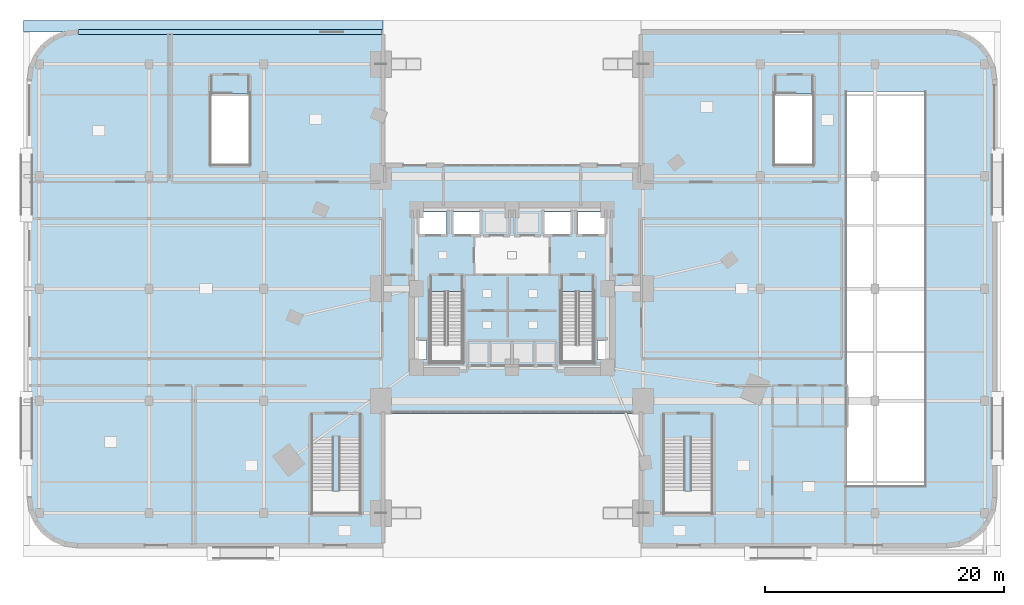
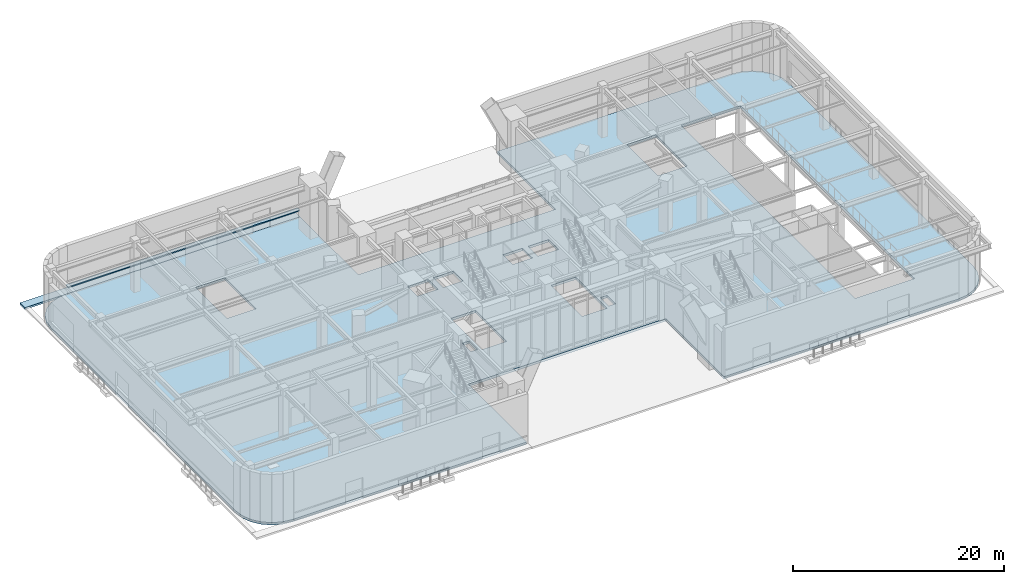
# One storey, part 15 of 27: 2 slabs, 1 plate.
"""IFC4 building model written with IfcOpenShell, lengths in metres."""

from ifc_helpers import new_model, si_unit, direction, frame, origin, origin_2d, place, context, subcontext, project, spatial, polyline, rectangle, outline, extrude, material, layer, layer_set, type_object, element, save


model = new_model("IFC4")

# Units and contexts
model_context = context("Model", 3, precision=1e-05, world=origin(), true_north=direction((0.0, 1.0)))
body_context = subcontext(model_context, "Body", "Model", "MODEL_VIEW")
ifc_project = project(units=[si_unit("LENGTHUNIT", "METRE"), si_unit("AREAUNIT", "SQUARE_METRE"), si_unit("VOLUMEUNIT", "CUBIC_METRE"), si_unit("PLANEANGLEUNIT", "RADIAN"), si_unit("MASSUNIT", "GRAM", prefix="KILO")], contexts=[model_context])

# Site, building, storey
site_placement = place(None, origin())
site = spatial("IfcSite", under=ifc_project, at=site_placement, CompositionType="ELEMENT")
building_placement = place(site_placement, origin())
building = spatial("IfcBuilding", under=site, at=building_placement, Name="Ndelora Gate Hotel", CompositionType="ELEMENT")
storey_placement = place(building_placement, origin())
storey = spatial("IfcBuildingStorey", under=building, at=storey_placement, Name="L00", CompositionType="ELEMENT", Elevation=0.0)

# Plate
ifc_material_1 = material(Name="Precast concrete C40/50", Category="concrete")
ifc_layer_1 = layer(ifc_material_1, 0.125)
ifc_layer_set_1 = layer_set([ifc_layer_1], Name="Precast concrete C40/50")
plate_type = type_object("IfcPlateType", Name="PL-SILL-120", PredefinedType="USERDEFINED", material=ifc_layer_set_1)
plate_placement = place(storey_placement, frame((-23.60009765625, 21.5, 0.8173828125), z_axis=(0.0, 0.0, 1.0), x_axis=(1.0, 0.0, 0.0)))
element("IfcPlate", 1, at=plate_placement, inside=storey, type_object=plate_type, Name="L00 Precast Concrete Ribbon Sill Band 14", ObjectType="RIBBON_SILL", PredefinedType="USERDEFINED", context=body_context, shape_type="SweptSolid", body=[
    extrude(rectangle(XDim=25.39990234375, YDim=0.43994140625, at=origin_2d()), origin(), (0.0, 0.0, 1.0), 0.125),
])

# Slabs
ifc_layer_2 = layer(ifc_material_1, 0.2099609375)
ifc_layer_set_2 = layer_set([ifc_layer_2], Name="Precast concrete C40/50")
slab_type_1 = type_object("IfcSlabType", Name="SL-PAV-210", PredefinedType="USERDEFINED", material=ifc_layer_set_2)
slab_1_placement = place(storey_placement, frame((0.0, 0.0, -0.2099609375)))
element("IfcSlab", 2, at=slab_1_placement, inside=storey, type_object=slab_type_1, Name="L00 Exterior Street Apron Paving NW", ObjectType="PAVING", PredefinedType="USERDEFINED", context=body_context, shape_type="SweptSolid", body=[
    extrude(outline(polyline([(-40.89990234375, 21.5), (-10.800048828125, 21.5), (-10.800048828125, 22.449951171875), (-40.89990234375, 22.449951171875), (-40.89990234375, 21.5)])), origin(), (0.0, 0.0, 1.0), 0.2099609375),
])
ifc_material_2 = material(Name="Concrete C40/50", Category="concrete")
ifc_layer_3 = layer(ifc_material_2, 0.280029296875)
ifc_layer_set_3 = layer_set([ifc_layer_3], Name="Concrete C40/50")
slab_type_2 = type_object("IfcSlabType", Name="SL-POD-280", PredefinedType="FLOOR", material=ifc_layer_set_3)
slab_2_placement = place(storey_placement, frame((0.0, 0.0, -0.280029296875)))
element("IfcSlab", 3, at=slab_2_placement, inside=storey, type_object=slab_type_2, Name="L00 Ground Arrival Structural Floor Slab", PredefinedType="FLOOR", context=body_context, shape_type="SweptSolid", body=[
    extrude(outline(polyline([(-36.39990234375, -21.5), (-10.800048828125, -21.5), (-10.800048828125, -10.449951171875), (10.800048828125, -10.449951171875), (10.800048828125, -21.5), (36.39990234375, -21.5), (37.435302734375, -21.36376953125), (38.39990234375, -20.964111328125), (39.228515625, -20.328369140625), (39.864013671875, -19.5), (40.263671875, -18.535400390625), (40.39990234375, -17.5), (40.39990234375, 17.5), (40.263671875, 18.535400390625), (39.864013671875, 19.5), (39.228515625, 20.328369140625), (38.39990234375, 20.964111328125), (37.435302734375, 21.36376953125), (36.39990234375, 21.5), (10.800048828125, 21.5), (10.800048828125, 10.449951171875), (-10.800048828125, 10.449951171875), (-10.800048828125, 21.5), (-36.39990234375, 21.5), (-37.435302734375, 21.36376953125), (-38.39990234375, 20.964111328125), (-39.228515625, 20.328369140625), (-39.864013671875, 19.5), (-40.263671875, 18.535400390625), (-40.39990234375, 17.5), (-40.39990234375, -17.5), (-40.263671875, -18.535400390625), (-39.864013671875, -19.5), (-39.228515625, -20.328369140625), (-38.39990234375, -20.964111328125), (-37.435302734375, -21.36376953125), (-36.39990234375, -21.5)]), holes=[polyline([(-6.85009765625, -0.22998046875), (-6.85009765625, -6.14990234375), (-4.1298828125, -6.14990234375), (-4.1298828125, -0.22998046875), (-6.85009765625, -0.22998046875)]), polyline([(4.1298828125, -0.22998046875), (4.1298828125, -6.14990234375), (6.85009765625, -6.14990234375), (6.85009765625, -0.22998046875), (4.1298828125, -0.22998046875)]), polyline([(-25.199951171875, 16.320068359375), (-25.199951171875, 10.39990234375), (-22.0, 10.39990234375), (-22.0, 16.320068359375), (-25.199951171875, 16.320068359375)]), polyline([(22.0, 16.320068359375), (22.0, 10.39990234375), (25.199951171875, 10.39990234375), (25.199951171875, 16.320068359375), (22.0, 16.320068359375)]), polyline([(-7.72998046875, 4.570068359375), (-5.469970703125, 4.570068359375), (-5.469970703125, 6.429931640625), (-7.72998046875, 6.429931640625), (-7.72998046875, 4.570068359375)]), polyline([(5.469970703125, 4.570068359375), (7.72998046875, 4.570068359375), (7.72998046875, 6.429931640625), (5.469970703125, 6.429931640625), (5.469970703125, 4.570068359375)]), polyline([(-4.8798828125, 4.570068359375), (-2.719970703125, 4.570068359375), (-2.719970703125, 6.429931640625), (-4.8798828125, 6.429931640625), (-4.8798828125, 4.570068359375)]), polyline([(2.719970703125, 4.570068359375), (4.8798828125, 4.570068359375), (4.8798828125, 6.429931640625), (2.719970703125, 6.429931640625), (2.719970703125, 4.570068359375)]), polyline([(-7.89990234375, -5.919921875), (-7.179931640625, -5.919921875), (-7.179931640625, -4.320068359375), (-7.89990234375, -4.320068359375), (-7.89990234375, -5.919921875)]), polyline([(7.179931640625, -5.919921875), (7.89990234375, -5.919921875), (7.89990234375, -4.320068359375), (7.179931640625, -4.320068359375), (7.179931640625, -5.919921875)]), polyline([(28.050048828125, -16.5), (34.550048828125, -16.5), (34.550048828125, 16.5), (28.050048828125, 16.5), (28.050048828125, -16.5)])]), origin(), (0.0, 0.0, 1.0), 0.280029296875),
])

save(model, "model.ifc")
